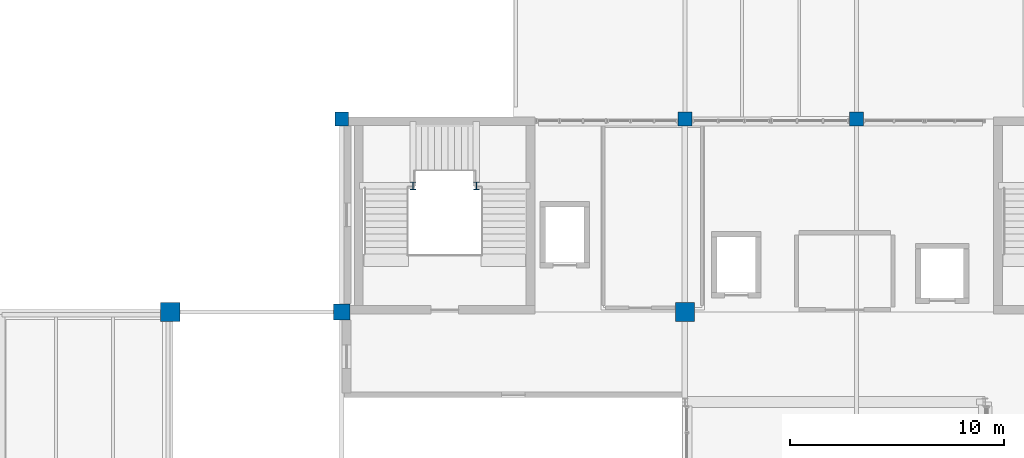
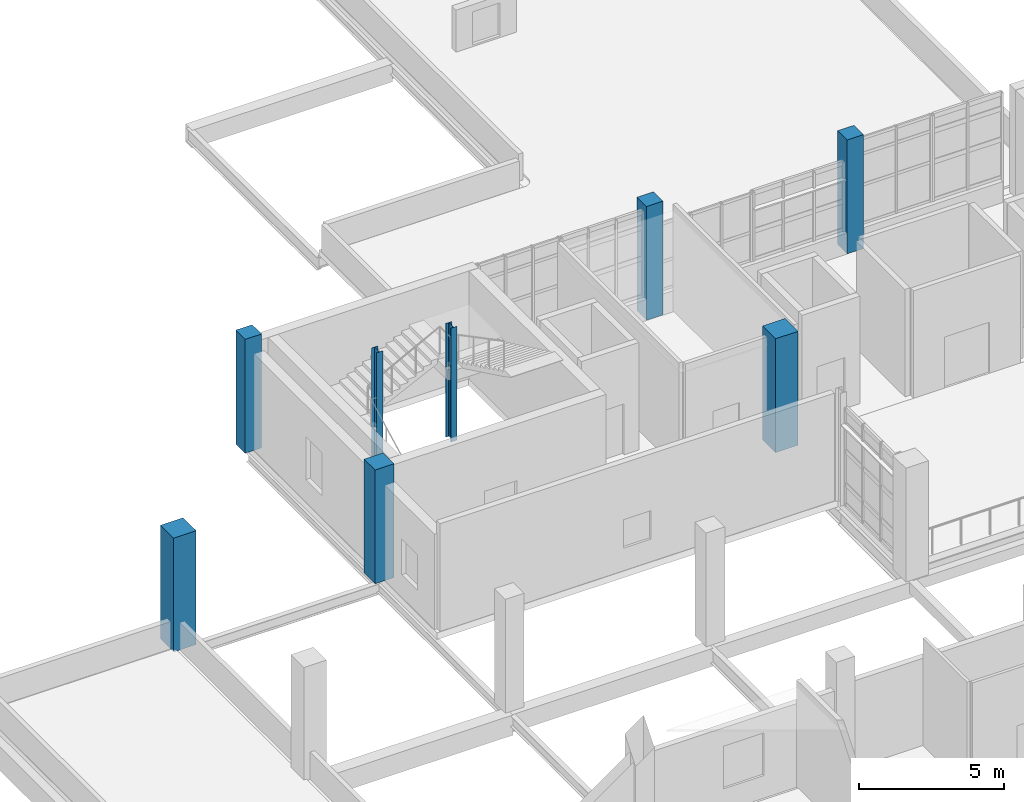
# One storey, part 9 of 127: 8 columns.
"""IFC4 building model written with IfcOpenShell, lengths in metres."""

from ifc_helpers import new_model, si_unit, derived_unit, direction, frame, origin, origin_2d, place, context, subcontext, project, spatial, rectangle, i_section, extrude, material, material_profile, profile_set, type_object, element, save


model = new_model("IFC4")

# Units and contexts
model_context = context("Model", 3, precision=1e-05, world=origin(), true_north=direction((0.0, 1.0)))
body_context = subcontext(model_context, "Body", "Model", "MODEL_VIEW")
ifc_project = project(units=[si_unit("LENGTHUNIT", "METRE"), si_unit("AREAUNIT", "SQUARE_METRE"), si_unit("VOLUMEUNIT", "CUBIC_METRE"), si_unit("PLANEANGLEUNIT", "RADIAN"), si_unit("MASSUNIT", "GRAM", prefix="KILO"), derived_unit("THERMALTRANSMITTANCEUNIT", [(si_unit("POWERUNIT", "WATT"), 1), (si_unit("LENGTHUNIT", "METRE"), -2), (si_unit("THERMODYNAMICTEMPERATUREUNIT", "KELVIN"), -1)])], contexts=[model_context])

# Site, building, storey
site_placement = place(None, origin())
site = spatial("IfcSite", under=ifc_project, at=site_placement, CompositionType="ELEMENT")
building_placement = place(site_placement, origin())
building = spatial("IfcBuilding", under=site, at=building_placement, Name="Nallur Shell Playhouse", CompositionType="ELEMENT")
storey_placement = place(building_placement, frame((0.0, 0.0, 5.39990234375)))
storey = spatial("IfcBuildingStorey", under=building, at=storey_placement, Name="L02", CompositionType="ELEMENT", Elevation=5.39990234375)

# Columns
ifc_material_1 = material(Name="Concrete M35", Category="concrete")
ifc_material_profile_1 = material_profile(ifc_material_1, rectangle(XDim=0.64990234375, YDim=0.64990234375, at=origin_2d()), Name="RC 650x650")
ifc_profile_set_1 = profile_set([ifc_material_profile_1], Name="Concrete M35")
column_type_1 = type_object("IfcColumnType", Name="CL-RC-650", PredefinedType="COLUMN", material=ifc_profile_set_1)
for number, where, z_axis, x_axis, name in (
    (1, (24.0, 83.0, 0.0), (0.0, 0.0, 1.0), (1.0, 0.0, 0.0), "Column 3-K (L02)"),
    (2, (40.0, 83.0, 0.0), (0.0, 0.0, 1.0), (1.0, 0.0, 0.0), "Column 5-K (L02)"),
    (3, (48.0, 83.0, 0.0), (0.0, 0.0, 1.0), (1.0, 0.0, 0.0), "Column 6-K (L02)"),
):
    element("IfcColumn", number, at=place(storey_placement, frame(where, z_axis=z_axis, x_axis=x_axis)), inside=storey, type_object=column_type_1, Name=name, PredefinedType="COLUMN", context=body_context, shape_type="SweptSolid", body=[
        extrude(rectangle(XDim=0.64990234375, YDim=0.64990234375, at=origin_2d()), origin(), (0.0, 0.0, 1.0), 4.800048828125),
    ])
ifc_material_2 = material(Name="Concrete M40", Category="concrete")
ifc_material_profile_2 = material_profile(ifc_material_2, rectangle(XDim=0.75, YDim=0.75, at=origin_2d()), Name="RC 750x750")
ifc_profile_set_2 = profile_set([ifc_material_profile_2], Name="Concrete M40")
column_type_2 = type_object("IfcColumnType", Name="CL-RC-750", PredefinedType="COLUMN", material=ifc_profile_set_2)
column_placement = place(storey_placement, frame((24.0, 74.0, 0.0), z_axis=(0.0, 0.0, 1.0), x_axis=(1.0, 0.0, 0.0)))
element("IfcColumn", 4, at=column_placement, inside=storey, type_object=column_type_2, Name="Column 3-J (L02)", PredefinedType="COLUMN", context=body_context, shape_type="SweptSolid", body=[
    extrude(rectangle(XDim=0.75, YDim=0.75, at=origin_2d()), origin(), (0.0, 0.0, 1.0), 4.800048828125),
])
ifc_material_profile_3 = material_profile(ifc_material_2, rectangle(XDim=0.89990234375, YDim=0.89990234375, at=origin_2d()), Name="RC 900x900")
ifc_profile_set_3 = profile_set([ifc_material_profile_3], Name="Concrete M40")
column_type_3 = type_object("IfcColumnType", Name="CL-RC-900", PredefinedType="COLUMN", material=ifc_profile_set_3)
for number, where, z_axis, x_axis, name in (
    (5, (16.0, 74.0, 0.0), (0.0, 0.0, 1.0), (1.0, 0.0, 0.0), "Column 2-J (L02)"),
    (6, (40.0, 74.0, 0.0), (0.0, 0.0, 1.0), (1.0, 0.0, 0.0), "Column 5-J (L02)"),
):
    element("IfcColumn", number, at=place(storey_placement, frame(where, z_axis=z_axis, x_axis=x_axis)), inside=storey, type_object=column_type_3, Name=name, PredefinedType="COLUMN", context=body_context, shape_type="SweptSolid", body=[
        extrude(rectangle(XDim=0.89990234375, YDim=0.89990234375, at=origin_2d()), origin(), (0.0, 0.0, 1.0), 4.800048828125),
    ])
ifc_material_3 = material(Name="Steel E350", Category="steel")
ifc_material_profile_4 = material_profile(ifc_material_3, i_section(OverallWidth=0.25, OverallDepth=0.35009765625, WebThickness=0.010009765625, FlangeThickness=0.01171875, FilletRadius=0.011962890625, at=origin_2d()), Name="ISHB 350")
ifc_profile_set_4 = profile_set([ifc_material_profile_4], Name="Steel E350")
column_type_4 = type_object("IfcColumnType", Name="CL-ST-ISHB350", PredefinedType="COLUMN", material=ifc_profile_set_4)
for number, where, z_axis, x_axis, name in (
    (7, (27.320068359375, 79.8798828125, 0.0), (0.0, 0.0, 1.0), (1.0, 0.0, 0.0), "Column STW-JC-6-W (L02)"),
    (8, (30.280029296875, 79.8798828125, 0.0), (0.0, 0.0, 1.0), (1.0, 0.0, 0.0), "Column STW-JC-6-E (L02)"),
):
    element("IfcColumn", number, at=place(storey_placement, frame(where, z_axis=z_axis, x_axis=x_axis)), inside=storey, type_object=column_type_4, Name=name, PredefinedType="COLUMN", context=body_context, shape_type="SweptSolid", body=[
        extrude(i_section(OverallWidth=0.25, OverallDepth=0.35009765625, WebThickness=0.010009765625, FlangeThickness=0.01171875, FilletRadius=0.011962890625, at=origin_2d()), origin(), (0.0, 0.0, 1.0), 4.800048828125),
    ])

save(model, "model.ifc")
